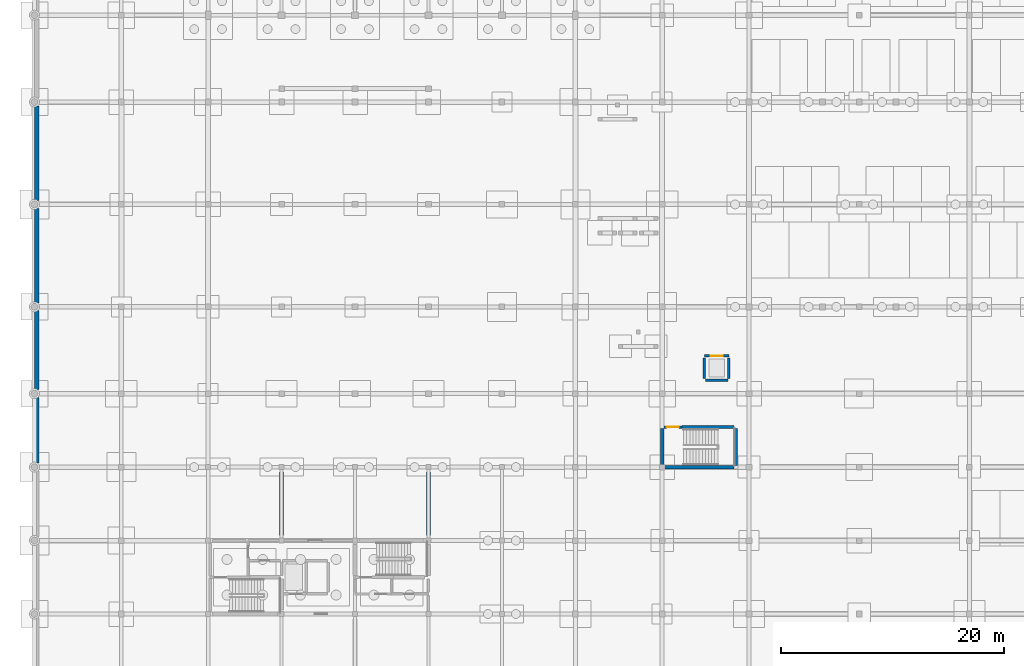
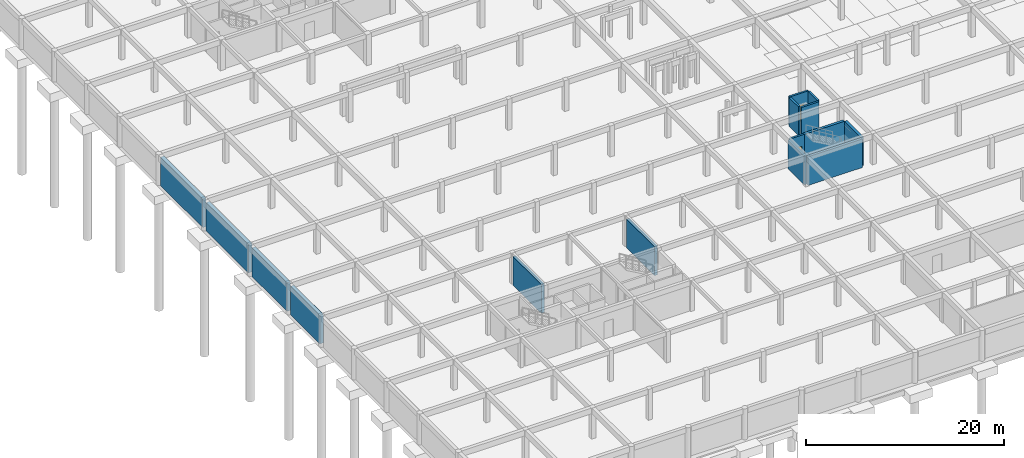
# One storey, part 24 of 37: 15 walls, 2 doors, 2 openings.
"""IFC4 building model written with IfcOpenShell, lengths in metres."""

from ifc_helpers import new_model, si_unit, direction, frame, frame_2d, origin, place, context, subcontext, project, spatial, rectangle, extrude, material, layer, layer_set, type_object, element, fill, save


model = new_model("IFC4")

# Units and contexts
model_context = context("Model", 3, precision=1e-05, world=origin(), true_north=direction((0.0, 1.0)))
body_context = subcontext(model_context, "Body", "Model", "MODEL_VIEW")
ifc_project = project(units=[si_unit("LENGTHUNIT", "METRE"), si_unit("AREAUNIT", "SQUARE_METRE"), si_unit("VOLUMEUNIT", "CUBIC_METRE"), si_unit("PLANEANGLEUNIT", "RADIAN"), si_unit("MASSUNIT", "GRAM", prefix="KILO")], contexts=[model_context])

# Site, building, storey
site_placement = place(None, origin())
site = spatial("IfcSite", under=ifc_project, at=site_placement, CompositionType="ELEMENT")
building_placement = place(site_placement, origin())
building = spatial("IfcBuilding", under=site, at=building_placement, Name="Kernevlak Ridge Housing Community", CompositionType="ELEMENT")
storey_placement = place(building_placement, frame((0.0, 0.0, -3.800048828125)))
storey = spatial("IfcBuildingStorey", under=building, at=storey_placement, Name="B1", CompositionType="ELEMENT", Elevation=-3.800048828125)

# Wall, opening, door
ifc_material_1 = material(Name="Concrete C35/45", Category="concrete")
ifc_layer_1 = layer(ifc_material_1, 0.22509765625, Name="Concrete C35/45")
ifc_layer_set_1 = layer_set([ifc_layer_1], Name="Concrete C35/45")
wall_type_1 = type_object("IfcWallType", Name="PW-01", PredefinedType="STANDARD", material=ifc_layer_set_1)
wall_1_placement = place(storey_placement, frame((56.550048828125, 39.0, 0.0), z_axis=(0.0, 0.0, 1.0), x_axis=(1.0, 0.0, 0.0)))
wall_1 = element("IfcWall", 1, at=wall_1_placement, inside=storey, type_object=wall_type_1, Name="Interior wall PW-01 WAL-INT-B1-3501", PredefinedType="STANDARD", context=body_context, shape_type="SweptSolid", body=[
    extrude(rectangle(XDim=1.64990234375, YDim=0.22509765625, at=frame_2d((0.824951171875, 0.0))), origin(), (0.0, 0.0, 1.0), 3.52001953125),
])
opening_1_placement = place(wall_1_placement, frame((0.25, 0.0, 0.0)))
opening_1 = element("IfcOpeningElement", 2, at=opening_1_placement, cuts=wall_1, Name="Opening E778", PredefinedType="OPENING", context=body_context, shape_type="SweptSolid", body=[
    extrude(rectangle(XDim=1.10009765625, YDim=2.14990234375, at=frame_2d((0.550048828125, 1.074951171875))), frame((0.0, 0.12255859375, 0.0), z_axis=(0.0, -1.0, 0.0), x_axis=(1.0, 0.0, 0.0)), (0.0, 0.0, 1.0), 0.2451171875),
])
ifc_material_2 = material(Name="Fire-rated sheet steel leaf", Category="steel")
door_type_1 = type_object("IfcDoorType", Name="DT-06", OperationType="NOTDEFINED", PredefinedType="DOOR", material=ifc_material_2)
door_1_placement = place(opening_1_placement, origin())
door_1 = element("IfcDoor", 3, at=door_1_placement, inside=storey, type_object=door_type_1, Name="Podium stair ST-P1 fire door E778", OperationType="SINGLE_SWING_LEFT", OverallHeight=2.14990234375, OverallWidth=1.10009765625, PredefinedType="DOOR", context=body_context, shape_type="SweptSolid", body=[
    extrude(rectangle(XDim=1.10009765625, YDim=2.14990234375, at=frame_2d((0.550048828125, 1.074951171875))), frame((0.0, 0.02490234375, 0.0), z_axis=(0.0, -1.0, 0.0), x_axis=(1.0, 0.0, 0.0)), (0.0, 0.0, 1.0), 0.050048828125),
])
fill(opening_1, door_1)

wall_2_placement = place(storey_placement, frame((60.199951171875, 45.39990234375, 0.0), z_axis=(0.0, 0.0, 1.0), x_axis=(1.0, 0.0, 0.0)))
wall_2 = element("IfcWall", 4, at=wall_2_placement, inside=storey, type_object=wall_type_1, Name="Interior wall PW-01 WAL-INT-B1-3503", PredefinedType="STANDARD", context=body_context, shape_type="SweptSolid", body=[
    extrude(rectangle(XDim=2.199951171875, YDim=0.22509765625, at=frame_2d((1.10009765625, 0.0))), origin(), (0.0, 0.0, 1.0), 3.52001953125),
])
opening_2_placement = place(wall_2_placement, frame((0.550048828125, 0.0, 0.0)))
opening_2 = element("IfcOpeningElement", 5, at=opening_2_placement, cuts=wall_2, Name="Opening LD97", PredefinedType="OPENING", context=body_context, shape_type="SweptSolid", body=[
    extrude(rectangle(XDim=1.10009765625, YDim=2.10009765625, at=frame_2d((0.550048828125, 1.050048828125))), frame((0.0, 0.12255859375, 0.0), z_axis=(0.0, -1.0, 0.0), x_axis=(1.0, 0.0, 0.0)), (0.0, 0.0, 1.0), 0.2451171875),
])
ifc_material_3 = material(Name="Stainless steel EN 1.4401", Category="steel")
door_type_2 = type_object("IfcDoorType", Name="DT-LD1", OperationType="DOUBLE_DOOR_SLIDING", PredefinedType="DOOR", material=ifc_material_3)
door_2_placement = place(opening_2_placement, origin())
door_2 = element("IfcDoor", 6, at=door_2_placement, inside=storey, type_object=door_type_2, Name="Civic podium lift LF-P1 landing door LD97", OperationType="DOUBLE_DOOR_SLIDING", OverallHeight=2.10009765625, OverallWidth=1.10009765625, PredefinedType="DOOR", context=body_context, shape_type="SweptSolid", body=[
    extrude(rectangle(XDim=1.10009765625, YDim=2.10009765625, at=frame_2d((0.550048828125, 1.050048828125))), frame((0.0, 0.02490234375, 0.0), z_axis=(0.0, -1.0, 0.0), x_axis=(1.0, 0.0, 0.0)), (0.0, 0.0, 1.0), 0.050048828125),
])
fill(opening_2, door_2)

# Walls
wall_3_placement = place(storey_placement, frame((60.280029296875, 43.199951171875, 0.0), z_axis=(0.0, 0.0, 1.0), x_axis=(1.0, 0.0, 0.0)))
element("IfcWall", 7, at=wall_3_placement, inside=storey, type_object=wall_type_1, Name="Interior wall PW-01 WAL-INT-B1-3504", PredefinedType="STANDARD", context=body_context, shape_type="SweptSolid", body=[
    extrude(rectangle(XDim=2.0400390625, YDim=0.22509765625, at=frame_2d((1.02001953125, 0.0))), origin(), (0.0, 0.0, 1.0), 3.52001953125),
])
for number, where, z_axis, x_axis, name in (
    (8, (60.199951171875, 43.3798828125, 0.0), (0.0, 0.0, 1.0), (0.0, 1.0, 0.0), "Interior wall PW-01 WAL-INT-B1-3505"),
    (9, (62.39990234375, 43.3798828125, 0.0), (0.0, 0.0, 1.0), (0.0, 1.0, 0.0), "Interior wall PW-01 WAL-INT-B1-3506"),
):
    element("IfcWall", number, at=place(storey_placement, frame(where, z_axis=z_axis, x_axis=x_axis)), inside=storey, type_object=wall_type_1, Name=name, PredefinedType="STANDARD", context=body_context, shape_type="SweptSolid", body=[
        extrude(rectangle(XDim=1.840087890625, YDim=0.22509765625, at=frame_2d((0.919921875, 0.0))), origin(), (0.0, 0.0, 1.0), 3.52001953125),
    ])
ifc_material_4 = material(Name="Concrete C40/50", Category="concrete")
ifc_layer_2 = layer(ifc_material_4, 0.39990234375, Name="Concrete C40/50")
ifc_layer_set_2 = layer_set([ifc_layer_2], Name="Concrete C40/50")
wall_type_2 = type_object("IfcWallType", Name="RW-01", PredefinedType="USERDEFINED", material=ifc_layer_set_2)
wall_4_placement = place(storey_placement, frame((0.199951171875, 35.75, 0.0), z_axis=(0.0, 0.0, 1.0), x_axis=(0.0, 1.0, 0.0)))
element("IfcWall", 10, at=wall_4_placement, inside=storey, type_object=wall_type_2, Name="Basement retaining wall RW-01 50", ObjectType="RETAININGWALL", PredefinedType="USERDEFINED", context=body_context, shape_type="SweptSolid", body=[
    extrude(rectangle(XDim=5.89990234375, YDim=0.39990234375, at=frame_2d((2.949951171875, 0.0))), origin(), (0.0, 0.0, 1.0), 3.52001953125),
])
wall_5_placement = place(storey_placement, frame((0.199951171875, 42.35009765625, 0.0), z_axis=(0.0, 0.0, 1.0), x_axis=(0.0, 1.0, 0.0)))
element("IfcWall", 11, at=wall_5_placement, inside=storey, type_object=wall_type_2, Name="Basement retaining wall RW-01 51", ObjectType="RETAININGWALL", PredefinedType="USERDEFINED", context=body_context, shape_type="SweptSolid", body=[
    extrude(rectangle(XDim=7.099853515625, YDim=0.39990234375, at=frame_2d((3.5498046875, 0.0))), origin(), (0.0, 0.0, 1.0), 3.52001953125),
])
for number, where, z_axis, x_axis, name in (
    (12, (0.199951171875, 50.14990234375, 0.0), (0.0, 0.0, 1.0), (0.0, 1.0, 0.0), "Basement retaining wall RW-01 52"),
    (13, (0.199951171875, 59.35009765625, 0.0), (0.0, 0.0, 1.0), (0.0, 1.0, 0.0), "Basement retaining wall RW-01 53"),
):
    element("IfcWall", number, at=place(storey_placement, frame(where, z_axis=z_axis, x_axis=x_axis)), inside=storey, type_object=wall_type_2, Name=name, ObjectType="RETAININGWALL", PredefinedType="USERDEFINED", context=body_context, shape_type="SweptSolid", body=[
        extrude(rectangle(XDim=8.5, YDim=0.39990234375, at=frame_2d((4.25, 0.0))), origin(), (0.0, 0.0, 1.0), 3.52001953125),
    ])
ifc_layer_3 = layer(ifc_material_4, 0.35009765625, Name="Concrete C40/50")
ifc_layer_set_3 = layer_set([ifc_layer_3], Name="Concrete C40/50")
wall_type_3 = type_object("IfcWallType", Name="SW-01", PredefinedType="SHEAR", material=ifc_layer_set_3)
for number, where, z_axis, x_axis, name in (
    (14, (22.199951171875, 29.25, 0.0), (0.0, 0.0, 1.0), (0.0, 1.0, 0.0), "Shear wall SW-01 Block D B1 505"),
    (15, (35.39990234375, 29.25, 0.0), (0.0, 0.0, 1.0), (0.0, 1.0, 0.0), "Shear wall SW-01 Block D B1 506"),
):
    element("IfcWall", number, at=place(storey_placement, frame(where, z_axis=z_axis, x_axis=x_axis)), inside=storey, type_object=wall_type_3, Name=name, PredefinedType="SHEAR", context=body_context, shape_type="SweptSolid", body=[
        extrude(rectangle(XDim=5.699951171875, YDim=0.35009765625, at=frame_2d((2.85009765625, 0.0))), origin(), (0.0, 0.0, 1.0), 3.52001953125),
    ])
ifc_layer_4 = layer(ifc_material_4, 0.300048828125, Name="Concrete C40/50")
ifc_layer_set_4 = layer_set([ifc_layer_4], Name="Concrete C40/50")
wall_type_4 = type_object("IfcWallType", Name="SW-02", PredefinedType="SHEAR", material=ifc_layer_set_4)
wall_6_placement = place(storey_placement, frame((56.550048828125, 35.39990234375, 0.0), z_axis=(0.0, 0.0, 1.0), x_axis=(1.0, 0.0, 0.0)))
element("IfcWall", 16, at=wall_6_placement, inside=storey, type_object=wall_type_4, Name="Podium stair shear wall ST-P1 B1", PredefinedType="SHEAR", context=body_context, shape_type="SweptSolid", body=[
    extrude(rectangle(XDim=6.300048828125, YDim=0.300048828125, at=frame_2d((3.14990234375, 0.0))), origin(), (0.0, 0.0, 1.0), 3.52001953125),
])
wall_7_placement = place(storey_placement, frame((58.199951171875, 39.0, 0.0), z_axis=(0.0, 0.0, 1.0), x_axis=(1.0, 0.0, 0.0)))
element("IfcWall", 17, at=wall_7_placement, inside=storey, type_object=wall_type_4, Name="Podium stair shear wall ST-P1 B1", PredefinedType="SHEAR", context=body_context, shape_type="SweptSolid", body=[
    extrude(rectangle(XDim=4.650146484375, YDim=0.300048828125, at=frame_2d((2.3251953125, 0.0))), origin(), (0.0, 0.0, 1.0), 3.52001953125),
])
for number, where, z_axis, x_axis, name in (
    (18, (56.39990234375, 35.550048828125, 0.0), (0.0, 0.0, 1.0), (0.0, 1.0, 0.0), "Podium stair shear wall ST-P1 B1"),
    (19, (63.0, 35.550048828125, 0.0), (0.0, 0.0, 1.0), (0.0, 1.0, 0.0), "Podium stair shear wall ST-P1 B1"),
):
    element("IfcWall", number, at=place(storey_placement, frame(where, z_axis=z_axis, x_axis=x_axis)), inside=storey, type_object=wall_type_4, Name=name, PredefinedType="SHEAR", context=body_context, shape_type="SweptSolid", body=[
        extrude(rectangle(XDim=3.300048828125, YDim=0.300048828125, at=frame_2d((1.64990234375, 0.0))), origin(), (0.0, 0.0, 1.0), 3.52001953125),
    ])

save(model, "model.ifc")
